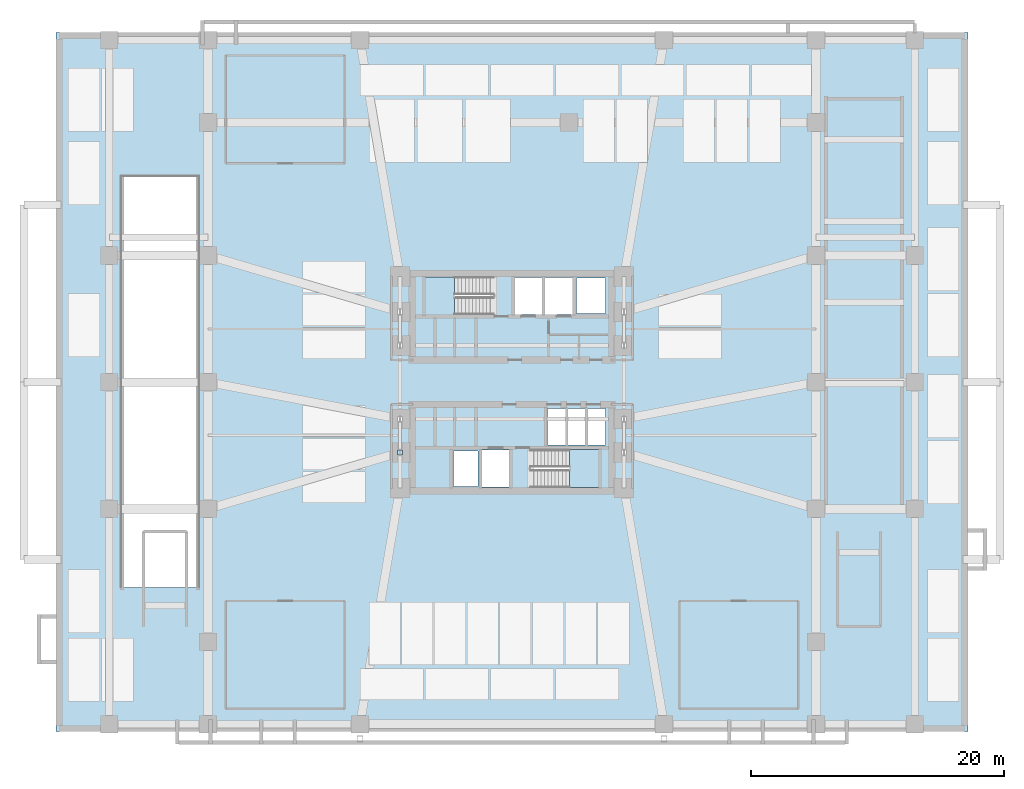
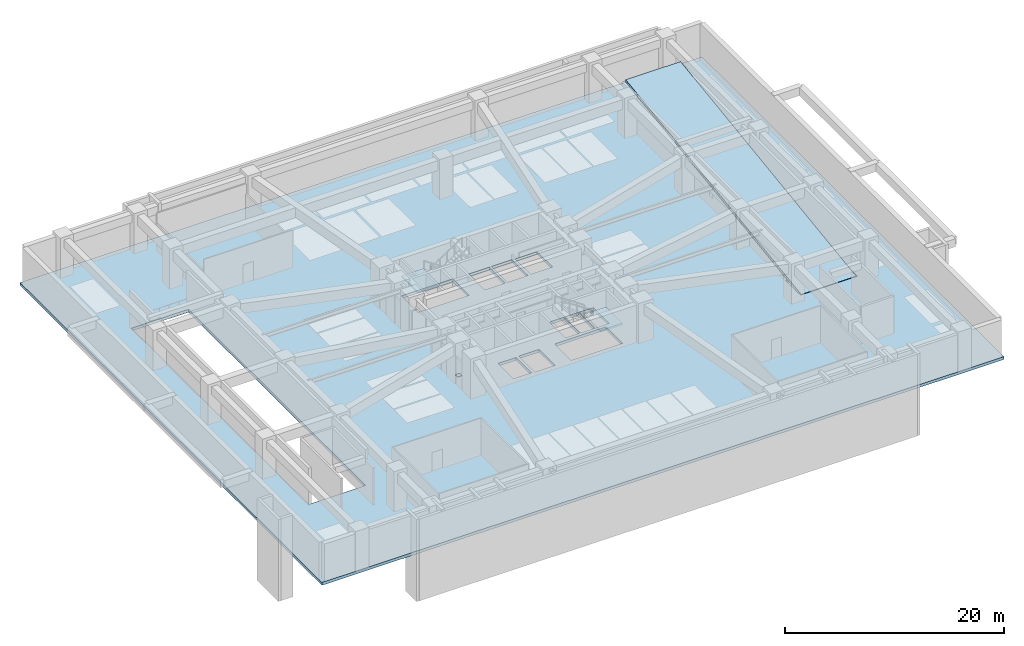
# One storey, part 4 of 13: 4 slabs, 1 plate, 2 elements without a shape of their own.
"""IFC4 building model written with IfcOpenShell, lengths in metres."""

from ifc_helpers import new_model, si_unit, direction, frame, origin, origin_2d, place, context, subcontext, project, spatial, polyline, rectangle, outline, extrude, material, layer, layer_set, type_object, element, aggregate, save


model = new_model("IFC4")

# Units and contexts
model_context = context("Model", 3, precision=1e-05, world=origin(), true_north=direction((0.0, 1.0)))
body_context = subcontext(model_context, "Body", "Model", "MODEL_VIEW")
ifc_project = project(units=[si_unit("LENGTHUNIT", "METRE"), si_unit("AREAUNIT", "SQUARE_METRE"), si_unit("VOLUMEUNIT", "CUBIC_METRE"), si_unit("PLANEANGLEUNIT", "RADIAN"), si_unit("MASSUNIT", "GRAM", prefix="KILO")], contexts=[model_context])

# Site, building, storey
site_placement = place(None, origin())
site = spatial("IfcSite", under=ifc_project, at=site_placement, CompositionType="ELEMENT")
building_placement = place(site_placement, origin())
building = spatial("IfcBuilding", under=site, at=building_placement, Name="Solmarez Civic Tower", CompositionType="ELEMENT")
storey_placement = place(building_placement, frame((0.0, 0.0, -4.5)))
storey = spatial("IfcBuildingStorey", under=building, at=storey_placement, Name="B1", CompositionType="ELEMENT", Elevation=-4.5)

# Plate
ifc_material_1 = material(Name="Steel S355", Category="steel")
ifc_layer_1 = layer(ifc_material_1, 0.02392578125)
ifc_layer_set_1 = layer_set([ifc_layer_1], Name="Steel S355")
plate_type = type_object("IfcPlateType", Name="PLT-CAP-380", PredefinedType="USERDEFINED", material=ifc_layer_set_1)
plate_placement = place(storey_placement, frame((-8.85009765625, -5.550048828125, 0.238037109375), z_axis=(0.0, 0.0, 1.0), x_axis=(1.0, 0.0, 0.0)))
element("IfcPlate", 1, at=plate_placement, inside=storey, type_object=plate_type, Name="Steel Member End Cap Plate CAP-BRC-B1-CORE-1-0", ObjectType="CAP_PLATE", PredefinedType="USERDEFINED", context=body_context, shape_type="SweptSolid", body=[
    extrude(rectangle(XDim=0.419921875, YDim=0.419921875, at=origin_2d()), origin(), (0.0, 0.0, 1.0), 0.02392578125),
])

# Stair, slab
ifc_material_2 = material(Name="Concrete C50/60", Category="concrete")
stair_type = type_object("IfcStairType", Name="STAIR-DOGLEG-140W-24R-1875", PredefinedType="HALF_TURN_STAIR", material=ifc_material_2)
stair_1_placement = place(storey_placement, origin())
stair_1 = element("IfcStair", 2, at=stair_1_placement, inside=storey, type_object=stair_type, Name="B1 North Core Protected Exit Stair ST-1", PredefinedType="HALF_TURN_STAIR")
ifc_layer_2 = layer(ifc_material_2, 0.199951171875)
ifc_layer_set_2 = layer_set([ifc_layer_2], Name="Concrete C50/60")
slab_type_1 = type_object("IfcSlabType", Name="SLAB-LANDING-200", PredefinedType="LANDING", material=ifc_layer_set_2)
slab_1_placement = place(storey_placement, frame((0.0, 0.0, 2.050048828125)))
slab_1 = element("IfcSlab", 3, at=slab_1_placement, type_object=slab_type_1, Name="ST-1 landing 1", PredefinedType="LANDING", context=body_context, shape_type="SweptSolid", body=[
    extrude(outline(polyline([(-4.530029296875, 8.320068359375), (-6.85009765625, 8.320068359375), (-6.85009765625, 5.320068359375), (-4.530029296875, 5.320068359375), (-4.530029296875, 8.320068359375)])), origin(), (0.0, 0.0, 1.0), 0.199951171875),
])
aggregate(stair_1, [slab_1])

stair_2_placement = place(storey_placement, origin())
stair_2 = element("IfcStair", 4, at=stair_2_placement, inside=storey, type_object=stair_type, Name="B1 South Core Protected Exit Stair ST-2", PredefinedType="HALF_TURN_STAIR")
slab_2_placement = place(storey_placement, frame((0.0, 0.0, 2.050048828125)))
slab_2 = element("IfcSlab", 5, at=slab_2_placement, type_object=slab_type_1, Name="ST-2 landing 1", PredefinedType="LANDING", context=body_context, shape_type="SweptSolid", body=[
    extrude(outline(polyline([(4.530029296875, -8.320068359375), (6.85009765625, -8.320068359375), (6.85009765625, -5.320068359375), (4.530029296875, -5.320068359375), (4.530029296875, -8.320068359375)])), origin(), (0.0, 0.0, 1.0), 0.199951171875),
])
aggregate(stair_2, [slab_2])

# Slabs
ifc_layer_3 = layer(ifc_material_2, 0.320068359375)
ifc_layer_set_3 = layer_set([ifc_layer_3], Name="Concrete C50/60")
slab_type_2 = type_object("IfcSlabType", Name="SLAB-POD-320", PredefinedType="FLOOR", material=ifc_layer_set_3)
slab_3_placement = place(storey_placement, frame((0.0, 0.0, -0.320068359375)))
element("IfcSlab", 6, at=slab_3_placement, inside=storey, type_object=slab_type_2, Name="B1 Structural Slab", PredefinedType="FLOOR", context=body_context, shape_type="SweptSolid", body=[
    extrude(outline(polyline([(36.0, -27.60009765625), (36.0, 27.60009765625), (-36.0, 27.60009765625), (-36.0, -27.60009765625), (36.0, -27.60009765625)]), holes=[polyline([(-1.449951171875, 8.320068359375), (-6.85009765625, 8.320068359375), (-6.85009765625, 5.320068359375), (-1.449951171875, 5.320068359375), (-1.449951171875, 8.320068359375)]), polyline([(1.449951171875, -8.320068359375), (6.85009765625, -8.320068359375), (6.85009765625, -5.320068359375), (1.449951171875, -5.320068359375), (1.449951171875, -8.320068359375)]), polyline([(0.219970703125, 5.360107421875), (2.3798828125, 5.360107421875), (2.3798828125, 8.280029296875), (0.219970703125, 8.280029296875), (0.219970703125, 5.360107421875)]), polyline([(2.6201171875, 5.360107421875), (4.780029296875, 5.360107421875), (4.780029296875, 8.280029296875), (2.6201171875, 8.280029296875), (2.6201171875, 5.360107421875)]), polyline([(-2.3798828125, -8.280029296875), (-0.219970703125, -8.280029296875), (-0.219970703125, -5.360107421875), (-2.3798828125, -5.360107421875), (-2.3798828125, -8.280029296875)]), polyline([(2.800048828125, -4.9599609375), (4.280029296875, -4.9599609375), (4.280029296875, -2.06005859375), (2.800048828125, -2.06005859375), (2.800048828125, -4.9599609375)]), polyline([(4.360107421875, -4.9599609375), (5.840087890625, -4.9599609375), (5.840087890625, -2.06005859375), (4.360107421875, -2.06005859375), (4.360107421875, -4.9599609375)]), polyline([(5.919921875, -4.9599609375), (7.39990234375, -4.9599609375), (7.39990234375, -2.06005859375), (5.919921875, -2.06005859375), (5.919921875, -4.9599609375)]), polyline([(5.10009765625, 5.419921875), (7.39990234375, 5.419921875), (7.39990234375, 8.219970703125), (5.10009765625, 8.219970703125), (5.10009765625, 5.419921875)]), polyline([(-4.60009765625, -8.219970703125), (-2.699951171875, -8.219970703125), (-2.699951171875, -5.419921875), (-4.60009765625, -5.419921875), (-4.60009765625, -8.219970703125)]), polyline([(-30.800048828125, -16.199951171875), (-24.800048828125, -16.199951171875), (-24.800048828125, 16.199951171875), (-30.800048828125, 16.199951171875), (-30.800048828125, -16.199951171875)]), polyline([(24.800048828125, -9.800048828125), (30.800048828125, -9.800048828125), (30.800048828125, -7.10009765625), (24.800048828125, -7.10009765625), (24.800048828125, -9.800048828125)])]), origin(), (0.0, 0.0, 1.0), 0.320068359375),
])
ifc_layer_4 = layer(ifc_material_2, 0.284912109375)
ifc_layer_set_4 = layer_set([ifc_layer_4], Name="Concrete C50/60")
slab_type_3 = type_object("IfcSlabType", Name="SLAB-RAMP-280", PredefinedType="FLOOR", material=ifc_layer_set_4)
slab_4_placement = place(storey_placement, frame((24.89990234375, -9.75, 0.0), z_axis=(0.0, -0.138828975514, 0.990316371448), x_axis=(1.0, 0.0, 0.0)))
element("IfcSlab", 7, at=slab_4_placement, inside=storey, type_object=slab_type_3, Name="B1 Car Park Exit Structural Sloped Vehicle Ramp Slab VR1", PredefinedType="FLOOR", context=body_context, shape_type="SweptSolid", body=[
    extrude(outline(polyline([(0.0, 0.0), (5.800048828125, 0.0), (5.800048828125, 32.41398262387371), (0.0, 32.41398262387371), (0.0, 0.0)])), origin(), (0.0, 0.0, -1.0), 0.284912109375),
])

save(model, "model.ifc")
